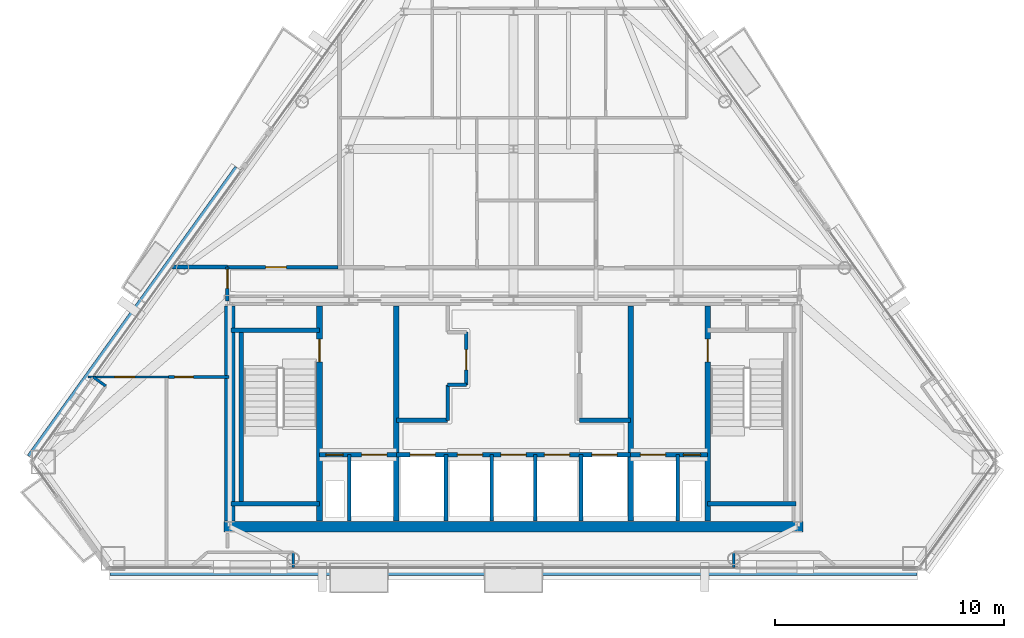
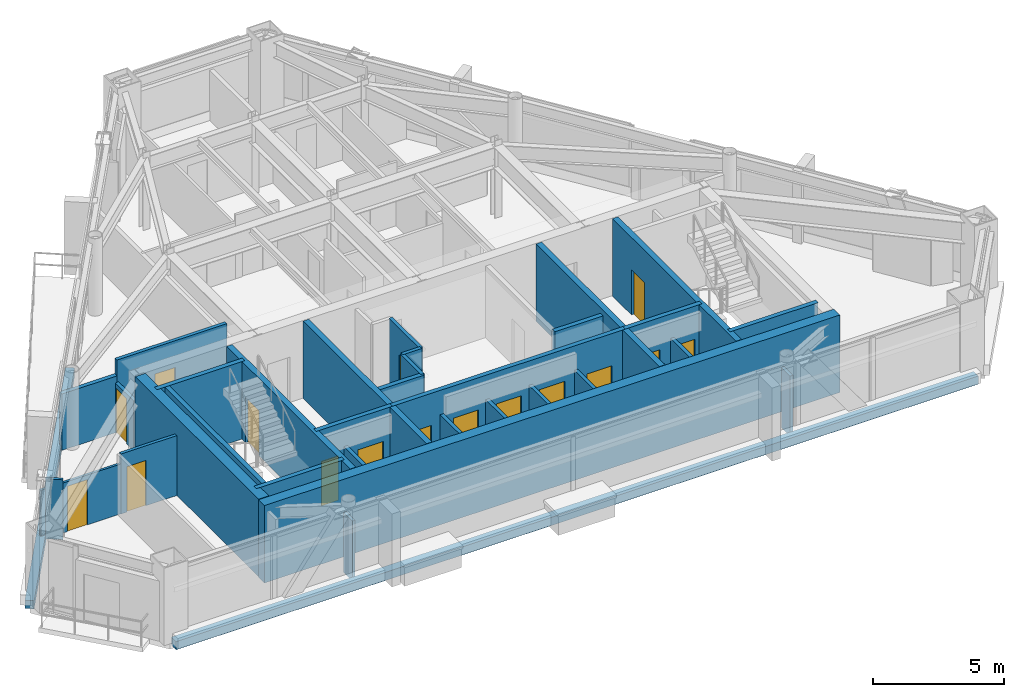
# One storey, part 7 of 11: 34 walls, 16 doors, 16 openings.
"""IFC4 building model written with IfcOpenShell, lengths in metres."""

from ifc_helpers import new_model, si_unit, direction, frame, frame_2d, origin, place, context, subcontext, project, spatial, rectangle, extrude, material, layer, layer_set, type_object, element, fill, save


model = new_model("IFC4")

# Units and contexts
model_context = context("Model", 3, precision=1e-05, world=origin(), true_north=direction((0.0, 1.0)))
body_context = subcontext(model_context, "Body", "Model", "MODEL_VIEW")
ifc_project = project(units=[si_unit("LENGTHUNIT", "METRE"), si_unit("AREAUNIT", "SQUARE_METRE"), si_unit("VOLUMEUNIT", "CUBIC_METRE"), si_unit("PLANEANGLEUNIT", "RADIAN"), si_unit("MASSUNIT", "GRAM", prefix="KILO")], contexts=[model_context])

# Site, building, storey
site_placement = place(None, origin())
site = spatial("IfcSite", under=ifc_project, at=site_placement, CompositionType="ELEMENT")
building_placement = place(site_placement, origin())
building = spatial("IfcBuilding", under=site, at=building_placement, Name="Talgorran Terracotta Tower", CompositionType="ELEMENT")
storey_placement = place(building_placement, frame((0.0, 0.0, 210.89990234375)))
storey = spatial("IfcBuildingStorey", under=building, at=storey_placement, Name="L55", CompositionType="ELEMENT", Elevation=210.89990234375)

# Walls
ifc_material_1 = material(Name="Concrete C50/60", Category="concrete")
ifc_layer_1 = layer(ifc_material_1, 0.199951171875, Name="WT_CORE_200")
ifc_layer_set_1 = layer_set([ifc_layer_1], Name="Concrete C50/60")
wall_type_1 = type_object("IfcWallType", Name="WT_CORE_200", PredefinedType="SOLIDWALL", material=ifc_layer_set_1)
for number, where, z_axis, x_axis, name in (
    (1, (-12.35009765625, -5.52001953125, 0.0), (0.0, 0.0, 1.0), (1.0, 0.0, 0.0), "WL-L55-CW-ST1-N"),
    (2, (-12.35009765625, -13.10009765625, 0.0), (0.0, 0.0, 1.0), (1.0, 0.0, 0.0), "WL-L55-CW-ST1-S"),
):
    element("IfcWall", number, at=place(storey_placement, frame(where, z_axis=z_axis, x_axis=x_axis)), inside=storey, type_object=wall_type_1, Name=name, PredefinedType="SOLIDWALL", context=body_context, shape_type="SweptSolid", body=[
        extrude(rectangle(XDim=3.8701171875, YDim=0.199951171875, at=frame_2d((1.93505859375, 0.0))), origin(), (0.0, 0.0, 1.0), 3.60009765625),
    ])
wall_1_placement = place(storey_placement, frame((-11.89990234375, -13.10009765625, 0.0), z_axis=(0.0, 0.0, 1.0), x_axis=(0.0, 1.0, 0.0)))
element("IfcWall", 3, at=wall_1_placement, inside=storey, type_object=wall_type_1, Name="WL-L55-CW-ST1-W", PredefinedType="SOLIDWALL", context=body_context, shape_type="SweptSolid", body=[
    extrude(rectangle(XDim=7.580078125, YDim=0.199951171875, at=frame_2d((3.7900390625, 0.0))), origin(), (0.0, 0.0, 1.0), 3.60009765625),
])
wall_2_placement = place(storey_placement, frame((8.47998046875, -13.10009765625, 0.0), z_axis=(0.0, 0.0, 1.0), x_axis=(1.0, 0.0, 0.0)))
element("IfcWall", 4, at=wall_2_placement, inside=storey, type_object=wall_type_1, Name="WL-L55-CW-ST2-S", PredefinedType="SOLIDWALL", context=body_context, shape_type="SweptSolid", body=[
    extrude(rectangle(XDim=3.8701171875, YDim=0.199951171875, at=frame_2d((1.93505859375, 0.0))), origin(), (0.0, 0.0, 1.0), 3.60009765625),
])

# Wall, openings, doors
wall_3_placement = place(storey_placement, frame((-8.47998046875, -10.949951171875, 0.0), z_axis=(0.0, 0.0, 1.0), x_axis=(1.0, 0.0, 0.0)))
wall_3 = element("IfcWall", 5, at=wall_3_placement, inside=storey, type_object=wall_type_1, Name="WL-L55-CW-H-SBW", PredefinedType="SOLIDWALL", context=body_context, shape_type="SweptSolid", body=[
    extrude(rectangle(XDim=3.35986328125, YDim=0.199951171875, at=frame_2d((1.679931640625, 0.0))), origin(), (0.0, 0.0, 1.0), 3.60009765625),
])
opening_1_placement = place(wall_3_placement, frame((0.280029296875, 0.0, 0.0)))
opening_1 = element("IfcOpeningElement", 6, at=opening_1_placement, cuts=wall_3, Name="Opening DR-RSW", PredefinedType="OPENING", context=body_context, shape_type="SweptSolid", body=[
    extrude(rectangle(XDim=0.756, YDim=2.054048828125, at=frame_2d((0.375, 1.027099609375))), frame((0.0, 0.10986328125, 0.0), z_axis=(0.0, -1.0, 0.0), x_axis=(1.0, 0.0, 0.0)), (0.0, 0.0, 1.0), 0.219970703125),
])
opening_2_placement = place(wall_3_placement, frame((1.85009765625, 0.0, 0.0)))
opening_2 = element("IfcOpeningElement", 7, at=opening_2_placement, cuts=wall_3, Name="Opening LD-FFL1", PredefinedType="OPENING", context=body_context, shape_type="SweptSolid", body=[
    extrude(rectangle(XDim=1.10609765625, YDim=2.10409765625, at=frame_2d((0.550048828125, 1.052001953125))), frame((0.0, 0.10986328125, 0.0), z_axis=(0.0, -1.0, 0.0), x_axis=(1.0, 0.0, 0.0)), (0.0, 0.0, 1.0), 0.219970703125),
])
ifc_material_2 = material(Name="Brushed Stainless Steel Grade 304", Category="steel")
door_type_1 = type_object("IfcDoorType", Name="DT_LIFT_LD1100", OperationType="DOUBLE_DOOR_SLIDING", PredefinedType="DOOR", material=ifc_material_2)
door_1_placement = place(opening_2_placement, origin())
door_1 = element("IfcDoor", 8, at=door_1_placement, inside=storey, type_object=door_type_1, Name="L55 Lift Landing Door LD-FFL1", OperationType="DOUBLE_DOOR_SLIDING", OverallHeight=2.10009765625, OverallWidth=1.10009765625, PredefinedType="DOOR", context=body_context, shape_type="SweptSolid", body=[
    extrude(rectangle(XDim=1.10009765625, YDim=2.10009765625, at=frame_2d((0.550048828125, 1.050048828125))), frame((0.0, 0.02490234375, 0.0), z_axis=(0.0, -1.0, 0.0), x_axis=(1.0, 0.0, 0.0)), (0.0, 0.0, 1.0), 0.050048828125),
])
fill(opening_2, door_1)
ifc_material_3 = material(Name="Fire-Rated Pressed Steel", Category="steel")
door_type_2 = type_object("IfcDoorType", Name="DT_RISER_750", OperationType="NOTDEFINED", PredefinedType="DOOR", material=ifc_material_3)
door_2_placement = place(opening_1_placement, origin())
door_2 = element("IfcDoor", 9, at=door_2_placement, inside=storey, type_object=door_type_2, Name="DR-RSW", OperationType="SINGLE_SWING_LEFT", OverallHeight=2.050048828125, OverallWidth=0.75, PredefinedType="DOOR", context=body_context, shape_type="SweptSolid", body=[
    extrude(rectangle(XDim=0.75, YDim=2.050048828125, at=frame_2d((0.375, 1.02490234375))), frame((0.0, 0.02490234375, 0.0), z_axis=(0.0, -1.0, 0.0), x_axis=(1.0, 0.0, 0.0)), (0.0, 0.0, 1.0), 0.050048828125),
])
fill(opening_1, door_2)

wall_4_placement = place(storey_placement, frame((-5.1201171875, -10.949951171875, 0.0), z_axis=(0.0, 0.0, 1.0), x_axis=(1.0, 0.0, 0.0)))
wall_4 = element("IfcWall", 10, at=wall_4_placement, inside=storey, type_object=wall_type_1, Name="WL-L55-CW-H-SBC", PredefinedType="SOLIDWALL", context=body_context, shape_type="SweptSolid", body=[
    extrude(rectangle(XDim=10.240234375, YDim=0.199951171875, at=frame_2d((5.1201171875, 0.0))), origin(), (0.0, 0.0, 1.0), 3.60009765625),
])
opening_3_placement = place(wall_4_placement, frame((0.60009765625, 0.0, 0.0)))
opening_3 = element("IfcOpeningElement", 11, at=opening_3_placement, cuts=wall_4, Name="Opening LD-OB1", PredefinedType="OPENING", context=body_context, shape_type="SweptSolid", body=[
    extrude(rectangle(XDim=1.10609765625, YDim=2.10409765625, at=frame_2d((0.550048828125, 1.052001953125))), frame((0.0, 0.10986328125, 0.0), z_axis=(0.0, -1.0, 0.0), x_axis=(1.0, 0.0, 0.0)), (0.0, 0.0, 1.0), 0.219970703125),
])
opening_4_placement = place(wall_4_placement, frame((2.669921875, 0.0, 0.0)))
opening_4 = element("IfcOpeningElement", 12, at=opening_4_placement, cuts=wall_4, Name="Opening LD-PLH1", PredefinedType="OPENING", context=body_context, shape_type="SweptSolid", body=[
    extrude(rectangle(XDim=1.10609765625, YDim=2.10409765625, at=frame_2d((0.550048828125, 1.052001953125))), frame((0.0, 0.10986328125, 0.0), z_axis=(0.0, -1.0, 0.0), x_axis=(1.0, 0.0, 0.0)), (0.0, 0.0, 1.0), 0.219970703125),
])
opening_5_placement = place(wall_4_placement, frame((4.570068359375, 0.0, 0.0)))
opening_5 = element("IfcOpeningElement", 13, at=opening_5_placement, cuts=wall_4, Name="Opening LD-PLH2", PredefinedType="OPENING", context=body_context, shape_type="SweptSolid", body=[
    extrude(rectangle(XDim=1.10609765625, YDim=2.10409765625, at=frame_2d((0.550048828125, 1.052001953125))), frame((0.0, 0.10986328125, 0.0), z_axis=(0.0, -1.0, 0.0), x_axis=(1.0, 0.0, 0.0)), (0.0, 0.0, 1.0), 0.219970703125),
])
opening_6_placement = place(wall_4_placement, frame((6.469970703125, 0.0, 0.0)))
opening_6 = element("IfcOpeningElement", 14, at=opening_6_placement, cuts=wall_4, Name="Opening LD-PLH3", PredefinedType="OPENING", context=body_context, shape_type="SweptSolid", body=[
    extrude(rectangle(XDim=1.10609765625, YDim=2.10409765625, at=frame_2d((0.550048828125, 1.052001953125))), frame((0.0, 0.10986328125, 0.0), z_axis=(0.0, -1.0, 0.0), x_axis=(1.0, 0.0, 0.0)), (0.0, 0.0, 1.0), 0.219970703125),
])
opening_7_placement = place(wall_4_placement, frame((8.5400390625, 0.0, 0.0)))
opening_7 = element("IfcOpeningElement", 15, at=opening_7_placement, cuts=wall_4, Name="Opening LD-SVL1", PredefinedType="OPENING", context=body_context, shape_type="SweptSolid", body=[
    extrude(rectangle(XDim=1.10609765625, YDim=2.10409765625, at=frame_2d((0.550048828125, 1.052001953125))), frame((0.0, 0.10986328125, 0.0), z_axis=(0.0, -1.0, 0.0), x_axis=(1.0, 0.0, 0.0)), (0.0, 0.0, 1.0), 0.219970703125),
])
door_3_placement = place(opening_3_placement, origin())
door_3 = element("IfcDoor", 16, at=door_3_placement, inside=storey, type_object=door_type_1, Name="L55 Lift Landing Door LD-OB1", OperationType="DOUBLE_DOOR_SLIDING", OverallHeight=2.10009765625, OverallWidth=1.10009765625, PredefinedType="DOOR", context=body_context, shape_type="SweptSolid", body=[
    extrude(rectangle(XDim=1.10009765625, YDim=2.10009765625, at=frame_2d((0.550048828125, 1.050048828125))), frame((0.0, 0.02490234375, 0.0), z_axis=(0.0, -1.0, 0.0), x_axis=(1.0, 0.0, 0.0)), (0.0, 0.0, 1.0), 0.050048828125),
])
fill(opening_3, door_3)
door_4_placement = place(opening_4_placement, origin())
door_4 = element("IfcDoor", 17, at=door_4_placement, inside=storey, type_object=door_type_1, Name="L55 Lift Landing Door LD-PLH1", OperationType="DOUBLE_DOOR_SLIDING", OverallHeight=2.10009765625, OverallWidth=1.10009765625, PredefinedType="DOOR", context=body_context, shape_type="SweptSolid", body=[
    extrude(rectangle(XDim=1.10009765625, YDim=2.10009765625, at=frame_2d((0.550048828125, 1.050048828125))), frame((0.0, 0.02490234375, 0.0), z_axis=(0.0, -1.0, 0.0), x_axis=(1.0, 0.0, 0.0)), (0.0, 0.0, 1.0), 0.050048828125),
])
fill(opening_4, door_4)
door_5_placement = place(opening_5_placement, origin())
door_5 = element("IfcDoor", 18, at=door_5_placement, inside=storey, type_object=door_type_1, Name="L55 Lift Landing Door LD-PLH2", OperationType="DOUBLE_DOOR_SLIDING", OverallHeight=2.10009765625, OverallWidth=1.10009765625, PredefinedType="DOOR", context=body_context, shape_type="SweptSolid", body=[
    extrude(rectangle(XDim=1.10009765625, YDim=2.10009765625, at=frame_2d((0.550048828125, 1.050048828125))), frame((0.0, 0.02490234375, 0.0), z_axis=(0.0, -1.0, 0.0), x_axis=(1.0, 0.0, 0.0)), (0.0, 0.0, 1.0), 0.050048828125),
])
fill(opening_5, door_5)
door_6_placement = place(opening_6_placement, origin())
door_6 = element("IfcDoor", 19, at=door_6_placement, inside=storey, type_object=door_type_1, Name="L55 Lift Landing Door LD-PLH3", OperationType="DOUBLE_DOOR_SLIDING", OverallHeight=2.10009765625, OverallWidth=1.10009765625, PredefinedType="DOOR", context=body_context, shape_type="SweptSolid", body=[
    extrude(rectangle(XDim=1.10009765625, YDim=2.10009765625, at=frame_2d((0.550048828125, 1.050048828125))), frame((0.0, 0.02490234375, 0.0), z_axis=(0.0, -1.0, 0.0), x_axis=(1.0, 0.0, 0.0)), (0.0, 0.0, 1.0), 0.050048828125),
])
fill(opening_6, door_6)
door_7_placement = place(opening_7_placement, origin())
door_7 = element("IfcDoor", 20, at=door_7_placement, inside=storey, type_object=door_type_1, Name="L55 Lift Landing Door LD-SVL1", OperationType="DOUBLE_DOOR_SLIDING", OverallHeight=2.10009765625, OverallWidth=1.10009765625, PredefinedType="DOOR", context=body_context, shape_type="SweptSolid", body=[
    extrude(rectangle(XDim=1.10009765625, YDim=2.10009765625, at=frame_2d((0.550048828125, 1.050048828125))), frame((0.0, 0.02490234375, 0.0), z_axis=(0.0, -1.0, 0.0), x_axis=(1.0, 0.0, 0.0)), (0.0, 0.0, 1.0), 0.050048828125),
])
fill(opening_7, door_7)

wall_5_placement = place(storey_placement, frame((5.1201171875, -10.949951171875, 0.0), z_axis=(0.0, 0.0, 1.0), x_axis=(1.0, 0.0, 0.0)))
wall_5 = element("IfcWall", 21, at=wall_5_placement, inside=storey, type_object=wall_type_1, Name="WL-L55-CW-H-SBE", PredefinedType="SOLIDWALL", context=body_context, shape_type="SweptSolid", body=[
    extrude(rectangle(XDim=3.35986328125, YDim=0.199951171875, at=frame_2d((1.679931640625, 0.0))), origin(), (0.0, 0.0, 1.0), 3.60009765625),
])
opening_8_placement = place(wall_5_placement, frame((0.419921875, 0.0, 0.0)))
opening_8 = element("IfcOpeningElement", 22, at=opening_8_placement, cuts=wall_5, Name="Opening LD-FFL2", PredefinedType="OPENING", context=body_context, shape_type="SweptSolid", body=[
    extrude(rectangle(XDim=1.10609765625, YDim=2.10409765625, at=frame_2d((0.550048828125, 1.052001953125))), frame((0.0, 0.10986328125, 0.0), z_axis=(0.0, -1.0, 0.0), x_axis=(1.0, 0.0, 0.0)), (0.0, 0.0, 1.0), 0.219970703125),
])
opening_9_placement = place(wall_5_placement, frame((2.300048828125, 0.0, 0.0)))
opening_9 = element("IfcOpeningElement", 23, at=opening_9_placement, cuts=wall_5, Name="Opening DR-RSE", PredefinedType="OPENING", context=body_context, shape_type="SweptSolid", body=[
    extrude(rectangle(XDim=0.756, YDim=2.054048828125, at=frame_2d((0.375, 1.027099609375))), frame((0.0, 0.10986328125, 0.0), z_axis=(0.0, -1.0, 0.0), x_axis=(1.0, 0.0, 0.0)), (0.0, 0.0, 1.0), 0.219970703125),
])
door_8_placement = place(opening_8_placement, origin())
door_8 = element("IfcDoor", 24, at=door_8_placement, inside=storey, type_object=door_type_1, Name="L55 Lift Landing Door LD-FFL2", OperationType="DOUBLE_DOOR_SLIDING", OverallHeight=2.10009765625, OverallWidth=1.10009765625, PredefinedType="DOOR", context=body_context, shape_type="SweptSolid", body=[
    extrude(rectangle(XDim=1.10009765625, YDim=2.10009765625, at=frame_2d((0.550048828125, 1.050048828125))), frame((0.0, 0.02490234375, 0.0), z_axis=(0.0, -1.0, 0.0), x_axis=(1.0, 0.0, 0.0)), (0.0, 0.0, 1.0), 0.050048828125),
])
fill(opening_8, door_8)
door_9_placement = place(opening_9_placement, origin())
door_9 = element("IfcDoor", 25, at=door_9_placement, inside=storey, type_object=door_type_2, Name="DR-RSE", OperationType="SINGLE_SWING_RIGHT", OverallHeight=2.050048828125, OverallWidth=0.75, PredefinedType="DOOR", context=body_context, shape_type="SweptSolid", body=[
    extrude(rectangle(XDim=0.75, YDim=2.050048828125, at=frame_2d((0.375, 1.02490234375))), frame((0.0, 0.02490234375, 0.0), z_axis=(0.0, -1.0, 0.0), x_axis=(1.0, 0.0, 0.0)), (0.0, 0.0, 1.0), 0.050048828125),
])
fill(opening_9, door_9)

# Walls
for number, where, z_axis, x_axis, name in (
    (26, (-5.1201171875, -9.449951171875, 0.0), (0.0, 0.0, 1.0), (1.0, 0.0, 0.0), "WL-L55-CW-H-W4"),
    (27, (2.8798828125, -9.449951171875, 0.0), (0.0, 0.0, 1.0), (1.0, 0.0, 0.0), "WL-L55-CW-H-E4"),
):
    element("IfcWall", number, at=place(storey_placement, frame(where, z_axis=z_axis, x_axis=x_axis)), inside=storey, type_object=wall_type_1, Name=name, PredefinedType="SOLIDWALL", context=body_context, shape_type="SweptSolid", body=[
        extrude(rectangle(XDim=2.240234375, YDim=0.199951171875, at=frame_2d((1.1201171875, 0.0))), origin(), (0.0, 0.0, 1.0), 3.34521484375),
    ])

# Wall, opening, door
ifc_layer_2 = layer(ifc_material_1, 0.25, Name="WT_CORE_250")
ifc_layer_set_2 = layer_set([ifc_layer_2], Name="Concrete C50/60")
wall_type_2 = type_object("IfcWallType", Name="WT_CORE_250", PredefinedType="SHEAR", material=ifc_layer_set_2)
wall_6_placement = place(storey_placement, frame((-8.47998046875, -13.85009765625, 0.0), z_axis=(0.0, 0.0, 1.0), x_axis=(0.0, 1.0, 0.0)))
wall_6 = element("IfcWall", 28, at=wall_6_placement, inside=storey, type_object=wall_type_2, Name="WL-L55-CW-V-W1", PredefinedType="SHEAR", context=body_context, shape_type="SweptSolid", body=[
    extrude(rectangle(XDim=9.400146484375, YDim=0.25, at=frame_2d((4.7001953125, 0.0))), origin(), (0.0, 0.0, 1.0), 3.60009765625),
])
opening_10_placement = place(wall_6_placement, frame((6.949951171875, 0.0, 0.0)))
opening_10 = element("IfcOpeningElement", 29, at=opening_10_placement, cuts=wall_6, Name="Opening DR-ST01", PredefinedType="OPENING", context=body_context, shape_type="SweptSolid", body=[
    extrude(rectangle(XDim=1.006, YDim=2.10409765625, at=frame_2d((0.5, 1.052001953125))), frame((0.0, 0.135009765625, 0.0), z_axis=(0.0, -1.0, 0.0), x_axis=(1.0, 0.0, 0.0)), (0.0, 0.0, 1.0), 0.27001953125),
])
door_type_3 = type_object("IfcDoorType", Name="DT_FIRE_1000", OperationType="NOTDEFINED", PredefinedType="DOOR", material=ifc_material_3)
door_10_placement = place(opening_10_placement, origin())
door_10 = element("IfcDoor", 30, at=door_10_placement, inside=storey, type_object=door_type_3, Name="DR-ST01", OperationType="SINGLE_SWING_LEFT", OverallHeight=2.10009765625, OverallWidth=1.0, PredefinedType="DOOR", context=body_context, shape_type="SweptSolid", body=[
    extrude(rectangle(XDim=1.0, YDim=2.10009765625, at=frame_2d((0.5, 1.050048828125))), frame((0.0, 0.02490234375, 0.0), z_axis=(0.0, -1.0, 0.0), x_axis=(1.0, 0.0, 0.0)), (0.0, 0.0, 1.0), 0.050048828125),
])
fill(opening_10, door_10)

wall_7_placement = place(storey_placement, frame((8.47998046875, -13.85009765625, 0.0), z_axis=(0.0, 0.0, 1.0), x_axis=(0.0, 1.0, 0.0)))
wall_7 = element("IfcWall", 31, at=wall_7_placement, inside=storey, type_object=wall_type_2, Name="WL-L55-CW-V-E1", PredefinedType="SHEAR", context=body_context, shape_type="SweptSolid", body=[
    extrude(rectangle(XDim=9.400146484375, YDim=0.25, at=frame_2d((4.7001953125, 0.0))), origin(), (0.0, 0.0, 1.0), 3.60009765625),
])
opening_11_placement = place(wall_7_placement, frame((6.949951171875, 0.0, 0.0)))
opening_11 = element("IfcOpeningElement", 32, at=opening_11_placement, cuts=wall_7, Name="Opening DR-ST02", PredefinedType="OPENING", context=body_context, shape_type="SweptSolid", body=[
    extrude(rectangle(XDim=1.006, YDim=2.10409765625, at=frame_2d((0.5, 1.052001953125))), frame((0.0, 0.135009765625, 0.0), z_axis=(0.0, -1.0, 0.0), x_axis=(1.0, 0.0, 0.0)), (0.0, 0.0, 1.0), 0.27001953125),
])
door_11_placement = place(opening_11_placement, origin())
door_11 = element("IfcDoor", 33, at=door_11_placement, inside=storey, type_object=door_type_3, Name="DR-ST02", OperationType="SINGLE_SWING_RIGHT", OverallHeight=2.10009765625, OverallWidth=1.0, PredefinedType="DOOR", context=body_context, shape_type="SweptSolid", body=[
    extrude(rectangle(XDim=1.0, YDim=2.10009765625, at=frame_2d((0.5, 1.050048828125))), frame((0.0, 0.02490234375, 0.0), z_axis=(0.0, -1.0, 0.0), x_axis=(1.0, 0.0, 0.0)), (0.0, 0.0, 1.0), 0.050048828125),
])
fill(opening_11, door_11)

# Walls
for number, where, z_axis, x_axis, name in (
    (34, (-5.1201171875, -13.85009765625, 0.0), (0.0, 0.0, 1.0), (0.0, 1.0, 0.0), "WL-L55-CW-V-W2"),
    (35, (5.1201171875, -13.85009765625, 0.0), (0.0, 0.0, 1.0), (0.0, 1.0, 0.0), "WL-L55-CW-V-E2"),
):
    element("IfcWall", number, at=place(storey_placement, frame(where, z_axis=z_axis, x_axis=x_axis)), inside=storey, type_object=wall_type_2, Name=name, PredefinedType="SHEAR", context=body_context, shape_type="SweptSolid", body=[
        extrude(rectangle(XDim=9.400146484375, YDim=0.25, at=frame_2d((4.7001953125, 0.0))), origin(), (0.0, 0.0, 1.0), 3.60009765625),
    ])
ifc_material_4 = material(Name="Concrete C65/80", Category="concrete")
ifc_layer_3 = layer(ifc_material_4, 0.449951171875, Name="WT_CORE_EXT")
ifc_layer_set_3 = layer_set([ifc_layer_3], Name="Concrete C65/80")
wall_type_3 = type_object("IfcWallType", Name="WT_CORE_EXT", PredefinedType="SHEAR", material=ifc_layer_set_3)
wall_8_placement = place(storey_placement, frame((-12.64990234375, -14.10009765625, 0.0), z_axis=(0.0, 0.0, 1.0), x_axis=(1.0, 0.0, 0.0)))
element("IfcWall", 36, at=wall_8_placement, inside=storey, type_object=wall_type_3, Name="WL-L55-CW-OUT-S", PredefinedType="SHEAR", context=body_context, shape_type="SweptSolid", body=[
    extrude(rectangle(XDim=25.2998046875, YDim=0.449951171875, at=frame_2d((12.64990234375, 0.0))), origin(), (0.0, 0.0, 1.0), 3.60009765625),
])
wall_9_placement = place(storey_placement, frame((-12.39990234375, -13.85009765625, 0.0), z_axis=(0.0, 0.0, 1.0), x_axis=(0.0, 1.0, 0.0)))
element("IfcWall", 37, at=wall_9_placement, inside=storey, type_object=wall_type_3, Name="WL-L55-CW-OUT-W", PredefinedType="SHEAR", context=body_context, shape_type="SweptSolid", body=[
    extrude(rectangle(XDim=9.400146484375, YDim=0.449951171875, at=frame_2d((4.7001953125, 0.0))), origin(), (0.0, 0.0, 1.0), 3.60009765625),
])
ifc_material_5 = material(Name="Fire-Rated Steel Stud Plasterboard", Category="steel")
ifc_layer_4 = layer(ifc_material_5, 0.14990234375, Name="WT_FIRE_150")
ifc_layer_set_4 = layer_set([ifc_layer_4], Name="Fire-Rated Steel Stud Plasterboard")
wall_type_4 = type_object("IfcWallType", Name="WT_FIRE_150", PredefinedType="PARTITIONING", material=ifc_layer_set_4)
wall_10_placement = place(storey_placement, frame((-2.8798828125, -9.449951171875, 0.0), z_axis=(0.0, 0.0, 1.0), x_axis=(0.0, 1.0, 0.0)))
element("IfcWall", 38, at=wall_10_placement, inside=storey, type_object=wall_type_4, Name="WL-L55-CW-V-W3A", PredefinedType="PARTITIONING", context=body_context, shape_type="SweptSolid", body=[
    extrude(rectangle(XDim=1.550048828125, YDim=0.14990234375, at=frame_2d((0.77490234375, 0.0))), origin(), (0.0, 0.0, 1.0), 3.34521484375),
])
wall_11_placement = place(storey_placement, frame((-2.8798828125, -7.89990234375, 0.0), z_axis=(0.0, 0.0, 1.0), x_axis=(1.0, 0.0, 0.0)))
element("IfcWall", 39, at=wall_11_placement, inside=storey, type_object=wall_type_4, Name="WL-L55-CW-H-W3B", PredefinedType="PARTITIONING", context=body_context, shape_type="SweptSolid", body=[
    extrude(rectangle(XDim=0.81982421875, YDim=0.14990234375, at=frame_2d((0.409912109375, 0.0))), origin(), (0.0, 0.0, 1.0), 3.34521484375),
])

# Wall, opening, door
wall_12_placement = place(storey_placement, frame((-2.06005859375, -7.89990234375, 0.0), z_axis=(0.0, 0.0, 1.0), x_axis=(0.0, 1.0, 0.0)))
wall_12 = element("IfcWall", 40, at=wall_12_placement, inside=storey, type_object=wall_type_4, Name="WL-L55-CW-V-W3C", PredefinedType="PARTITIONING", context=body_context, shape_type="SweptSolid", body=[
    extrude(rectangle(XDim=2.2998046875, YDim=0.14990234375, at=frame_2d((1.14990234375, 0.0))), origin(), (0.0, 0.0, 1.0), 3.34521484375),
])
opening_12_placement = place(wall_12_placement, frame((0.64990234375, 0.0, 0.0)))
opening_12 = element("IfcOpeningElement", 41, at=opening_12_placement, cuts=wall_12, Name="Opening DR-FRPLL-B", PredefinedType="OPENING", context=body_context, shape_type="SweptSolid", body=[
    extrude(rectangle(XDim=0.8858828125, YDim=2.10409765625, at=frame_2d((0.43994140625, 1.052001953125))), frame((0.0, 0.0849609375, 0.0), z_axis=(0.0, -1.0, 0.0), x_axis=(1.0, 0.0, 0.0)), (0.0, 0.0, 1.0), 0.169921875),
])
ifc_material_6 = material(Name="Solid-Core Painted Timber", Category="wood")
door_type_4 = type_object("IfcDoorType", Name="DT_INT_880", OperationType="NOTDEFINED", PredefinedType="DOOR", material=ifc_material_6)
door_12_placement = place(opening_12_placement, origin())
door_12 = element("IfcDoor", 42, at=door_12_placement, inside=storey, type_object=door_type_4, Name="DR-FRPLL-B", OperationType="SINGLE_SWING_LEFT", OverallHeight=2.10009765625, OverallWidth=0.8798828125, PredefinedType="DOOR", context=body_context, shape_type="SweptSolid", body=[
    extrude(rectangle(XDim=0.8798828125, YDim=2.10009765625, at=frame_2d((0.43994140625, 1.050048828125))), frame((0.0, 0.02490234375, 0.0), z_axis=(0.0, -1.0, 0.0), x_axis=(1.0, 0.0, 0.0)), (0.0, 0.0, 1.0), 0.050048828125),
])
fill(opening_12, door_12)

wall_13_placement = place(storey_placement, frame((-12.5, -2.760009765625, 0.0), z_axis=(0.0, 0.0, 1.0), x_axis=(1.0, 0.0, 0.0)))
wall_13 = element("IfcWall", 43, at=wall_13_placement, inside=storey, type_object=wall_type_4, Name="WL-L55-W-L55-R03", PredefinedType="PARTITIONING", context=body_context, shape_type="SweptSolid", body=[
    extrude(rectangle(XDim=4.837890625, YDim=0.14990234375, at=frame_2d((2.4189453125, 0.0))), origin(), (0.0, 0.0, 1.0), 3.34521484375),
])
opening_13_placement = place(wall_13_placement, frame((1.671875, 0.0, 0.0)))
opening_13 = element("IfcOpeningElement", 44, at=opening_13_placement, cuts=wall_13, Name="Opening DR-L55-R05", PredefinedType="OPENING", context=body_context, shape_type="SweptSolid", body=[
    extrude(rectangle(XDim=0.90590234375, YDim=2.10409765625, at=frame_2d((0.449951171875, 1.052001953125))), frame((0.0, 0.0849609375, 0.0), z_axis=(0.0, -1.0, 0.0), x_axis=(1.0, 0.0, 0.0)), (0.0, 0.0, 1.0), 0.169921875),
])
ifc_material_7 = material(Name="Fire-Rated Timber Core", Category="wood")
door_type_5 = type_object("IfcDoorType", Name="DT_FIRE_900", OperationType="NOTDEFINED", PredefinedType="DOOR", material=ifc_material_7)
door_13_placement = place(opening_13_placement, origin())
door_13 = element("IfcDoor", 45, at=door_13_placement, inside=storey, type_object=door_type_5, Name="DR-L55-R05", OperationType="SINGLE_SWING_LEFT", OverallHeight=2.10009765625, OverallWidth=0.89990234375, PredefinedType="DOOR", context=body_context, shape_type="SweptSolid", body=[
    extrude(rectangle(XDim=0.89990234375, YDim=2.10009765625, at=frame_2d((0.449951171875, 1.050048828125))), frame((0.0, 0.02490234375, 0.0), z_axis=(0.0, -1.0, 0.0), x_axis=(1.0, 0.0, 0.0)), (0.0, 0.0, 1.0), 0.050048828125),
])
fill(opening_13, door_13)

wall_14_placement = place(storey_placement, frame((-12.5, -4.239990234375, 0.0), z_axis=(0.0, 0.0, 1.0), x_axis=(0.0, 1.0, 0.0)))
wall_14 = element("IfcWall", 46, at=wall_14_placement, inside=storey, type_object=wall_type_4, Name="WL-L55-W-L55-R01", PredefinedType="PARTITIONING", context=body_context, shape_type="SweptSolid", body=[
    extrude(rectangle(XDim=1.47998046875, YDim=0.14990234375, at=frame_2d((0.739990234375, 0.0))), origin(), (0.0, 0.0, 1.0), 2.320068359375),
])
opening_14_placement = place(wall_14_placement, frame((0.56005859375, 0.0, 0.0)))
opening_14 = element("IfcOpeningElement", 47, at=opening_14_placement, cuts=wall_14, Name="Opening DR-L55-R01", PredefinedType="OPENING", context=body_context, shape_type="SweptSolid", body=[
    extrude(rectangle(XDim=0.826068359375, YDim=2.10409765625, at=frame_2d((0.41015625, 1.052001953125))), frame((0.0, 0.0849609375, 0.0), z_axis=(0.0, -1.0, 0.0), x_axis=(1.0, 0.0, 0.0)), (0.0, 0.0, 1.0), 0.169921875),
])
ifc_material_8 = material(Name="Moisture-Resistant Solid Timber", Category="wood")
door_type_6 = type_object("IfcDoorType", Name="DT_INT_820", OperationType="NOTDEFINED", PredefinedType="DOOR", material=ifc_material_8)
door_14_placement = place(opening_14_placement, origin())
door_14 = element("IfcDoor", 48, at=door_14_placement, inside=storey, type_object=door_type_6, Name="DR-L55-R01", OperationType="SINGLE_SWING_LEFT", OverallHeight=2.10009765625, OverallWidth=0.820068359375, PredefinedType="DOOR", context=body_context, shape_type="SweptSolid", body=[
    extrude(rectangle(XDim=0.820068359375, YDim=2.10009765625, at=frame_2d((0.41015625, 1.050048828125))), frame((0.0, 0.02490234375, 0.0), z_axis=(0.0, -1.0, 0.0), x_axis=(1.0, 0.0, 0.0)), (0.0, 0.0, 1.0), 0.050048828125),
])
fill(opening_14, door_14)

# Walls
ifc_material_9 = material(Name="Concrete C40/50", Category="concrete")
ifc_layer_5 = layer(ifc_material_9, 0.219970703125, Name="WT_PARAPET_RC")
ifc_layer_set_5 = layer_set([ifc_layer_5], Name="Concrete C40/50")
wall_type_5 = type_object("IfcWallType", Name="WT_PARAPET_RC", PredefinedType="PARAPET", material=ifc_layer_set_5)
wall_15_placement = place(storey_placement, frame((-17.635986328125, -16.056640625, -0.199951171875), z_axis=(0.0, 0.0, 1.0), x_axis=(1.0, 0.0, 0.0)))
element("IfcWall", 49, at=wall_15_placement, inside=storey, type_object=wall_type_5, Name="L55 Striped Portal Precast Cornice F1", PredefinedType="PARAPET", context=body_context, shape_type="SweptSolid", body=[
    extrude(rectangle(XDim=35.27197265625, YDim=0.360107421875, at=frame_2d((17.635986328125, 0.0))), origin(), (0.0, 0.0, 1.0), 0.380126953125),
])
wall_16_placement = place(storey_placement, frame((-12.0322265625, 1.541259765625, -0.199951171875), z_axis=(0.0, 0.0, 1.0), x_axis=(-0.583546701141, -0.812079582053, 0.0)))
element("IfcWall", 50, at=wall_16_placement, inside=storey, type_object=wall_type_5, Name="L55 Striped Portal Precast Cornice F61", PredefinedType="PARAPET", context=body_context, shape_type="SweptSolid", body=[
    extrude(rectangle(XDim=15.54052734375, YDim=0.360107421875, at=frame_2d((7.770263671875, 0.0))), origin(), (0.0, 0.0, 1.0), 0.380126953125),
])
ifc_material_10 = material(Name="Acoustic Stud and Plasterboard")
ifc_layer_6 = layer(ifc_material_10, 0.179931640625, Name="WT_PARTY_200")
ifc_layer_set_6 = layer_set([ifc_layer_6], Name="Acoustic Stud and Plasterboard")
wall_type_6 = type_object("IfcWallType", Name="WT_PARTY_200", PredefinedType="PARTITIONING", material=ifc_layer_set_6)
wall_17_placement = place(storey_placement, frame((-14.926025390625, -2.760009765625, 0.0), z_axis=(0.0, 0.0, 1.0), x_axis=(1.0, 0.0, 0.0)))
element("IfcWall", 51, at=wall_17_placement, inside=storey, type_object=wall_type_6, Name="WL-L55-W-L55-R10", PredefinedType="PARTITIONING", context=body_context, shape_type="SweptSolid", body=[
    extrude(rectangle(XDim=2.426025390625, YDim=0.179931640625, at=frame_2d((1.212890625, 0.0))), origin(), (0.0, 0.0, 1.0), 2.6201171875),
])

# Wall, opening, door
ifc_material_11 = material(Name="Lightweight Steel Stud Partition", Category="steel")
ifc_layer_7 = layer(ifc_material_11, 0.10498046875, Name="WT_PART_110")
ifc_layer_set_7 = layer_set([ifc_layer_7], Name="Lightweight Steel Stud Partition")
wall_type_7 = type_object("IfcWallType", Name="WT_PART_110", PredefinedType="PARTITIONING", material=ifc_layer_set_7)
wall_18_placement = place(storey_placement, frame((-18.60009765625, -7.56005859375, 0.0), z_axis=(0.0, 0.0, 1.0), x_axis=(1.0, 0.0, 0.0)))
wall_18 = element("IfcWall", 52, at=wall_18_placement, inside=storey, type_object=wall_type_7, Name="WL-L55-W-L55-R09", PredefinedType="PARTITIONING", context=body_context, shape_type="SweptSolid", body=[
    extrude(rectangle(XDim=3.52001953125, YDim=0.10498046875, at=frame_2d((1.760009765625, 0.0))), origin(), (0.0, 0.0, 1.0), 2.320068359375),
])
opening_15_placement = place(wall_18_placement, frame((1.17236328125, 0.0, 0.0)))
opening_15 = element("IfcOpeningElement", 53, at=opening_15_placement, cuts=wall_18, Name="Opening DR-L55-R03", PredefinedType="OPENING", context=body_context, shape_type="SweptSolid", body=[
    extrude(rectangle(XDim=0.8858828125, YDim=2.10409765625, at=frame_2d((0.43994140625, 1.052001953125))), frame((0.0, 0.0625, 0.0), z_axis=(0.0, -1.0, 0.0), x_axis=(1.0, 0.0, 0.0)), (0.0, 0.0, 1.0), 0.125),
])
door_15_placement = place(opening_15_placement, origin())
door_15 = element("IfcDoor", 54, at=door_15_placement, inside=storey, type_object=door_type_4, Name="DR-L55-R03", OperationType="SINGLE_SWING_LEFT", OverallHeight=2.10009765625, OverallWidth=0.8798828125, PredefinedType="DOOR", context=body_context, shape_type="SweptSolid", body=[
    extrude(rectangle(XDim=0.8798828125, YDim=2.10009765625, at=frame_2d((0.43994140625, 1.050048828125))), frame((0.0, 0.02490234375, 0.0), z_axis=(0.0, -1.0, 0.0), x_axis=(1.0, 0.0, 0.0)), (0.0, 0.0, 1.0), 0.050048828125),
])
fill(opening_15, door_15)

# Walls
ifc_material_12 = material(Name="Insulated Steel Stud Plasterboard", Category="steel")
ifc_layer_8 = layer(ifc_material_12, 0.1201171875, Name="WT_PART_120")
ifc_layer_set_8 = layer_set([ifc_layer_8], Name="Insulated Steel Stud Plasterboard")
wall_type_8 = type_object("IfcWallType", Name="WT_PART_120", PredefinedType="PARTITIONING", material=ifc_layer_set_8)
for number, where, z_axis, x_axis, name in (
    (55, (-18.364013671875, -7.5615234375, 0.0), (0.0, 0.0, 1.0), (0.811907418628, -0.583786213932, 0.0), "WL-L55-BW-L55-07"),
    (56, (-9.623291015625, -15.216796875, 0.0), (0.0, 0.0, 1.0), (0.0, -1.0, 0.0), "WL-L55-BW-L55-02"),
    (57, (9.623291015625, -15.88671875, 0.0), (0.0, 0.0, 1.0), (0.0, 1.0, 0.0), "WL-L55-BW-L55-05"),
):
    element("IfcWall", number, at=place(storey_placement, frame(where, z_axis=z_axis, x_axis=x_axis)), inside=storey, type_object=wall_type_8, Name=name, PredefinedType="PARTITIONING", context=body_context, shape_type="SweptSolid", body=[
        extrude(rectangle(XDim=0.669921875, YDim=0.1201171875, at=frame_2d((0.3349609375, 0.0))), origin(), (0.0, 0.0, 1.0), 2.787109375),
    ])

# Wall, opening, door
ifc_material_13 = material(Name="Moisture-Resistant Stud Wall")
ifc_layer_9 = layer(ifc_material_13, 0.135009765625, Name="WT_PART_135")
ifc_layer_set_9 = layer_set([ifc_layer_9], Name="Moisture-Resistant Stud Wall")
wall_type_9 = type_object("IfcWallType", Name="WT_PART_135", PredefinedType="PARTITIONING", material=ifc_layer_set_9)
wall_19_placement = place(storey_placement, frame((-15.077880859375, -7.56005859375, 0.0), z_axis=(0.0, 0.0, 1.0), x_axis=(1.0, 0.0, 0.0)))
wall_19 = element("IfcWall", 58, at=wall_19_placement, inside=storey, type_object=wall_type_9, Name="WL-L55-W-L55-R08", PredefinedType="PARTITIONING", context=body_context, shape_type="SweptSolid", body=[
    extrude(rectangle(XDim=2.637939453125, YDim=0.135009765625, at=frame_2d((1.31884765625, 0.0))), origin(), (0.0, 0.0, 1.0), 2.787109375),
])
opening_16_placement = place(wall_19_placement, frame((0.2705078125, 0.0, 0.0)))
opening_16 = element("IfcOpeningElement", 59, at=opening_16_placement, cuts=wall_19, Name="Opening DR-L55-R02", PredefinedType="OPENING", context=body_context, shape_type="SweptSolid", body=[
    extrude(rectangle(XDim=0.826068359375, YDim=2.10409765625, at=frame_2d((0.41015625, 1.052001953125))), frame((0.0, 0.07763671875, 0.0), z_axis=(0.0, -1.0, 0.0), x_axis=(1.0, 0.0, 0.0)), (0.0, 0.0, 1.0), 0.155029296875),
])
door_16_placement = place(opening_16_placement, origin())
door_16 = element("IfcDoor", 60, at=door_16_placement, inside=storey, type_object=door_type_6, Name="DR-L55-R02", OperationType="SINGLE_SWING_RIGHT", OverallHeight=2.10009765625, OverallWidth=0.820068359375, PredefinedType="DOOR", context=body_context, shape_type="SweptSolid", body=[
    extrude(rectangle(XDim=0.820068359375, YDim=2.10009765625, at=frame_2d((0.41015625, 1.050048828125))), frame((0.0, 0.02490234375, 0.0), z_axis=(0.0, -1.0, 0.0), x_axis=(1.0, 0.0, 0.0)), (0.0, 0.0, 1.0), 0.050048828125),
])
fill(opening_16, door_16)

# Walls
ifc_material_14 = material(Name="Fire-Rated Shaftwall")
ifc_layer_10 = layer(ifc_material_14, 0.159912109375, Name="WT_PART_150")
ifc_layer_set_10 = layer_set([ifc_layer_10], Name="Fire-Rated Shaftwall")
wall_type_10 = type_object("IfcWallType", Name="WT_PART_150", PredefinedType="PARTITIONING", material=ifc_layer_set_10)
for number, where, z_axis, x_axis, name in (
    (61, (-7.179931640625, -13.85009765625, 0.0), (0.0, 0.0, 1.0), (0.0, 1.0, 0.0), "WL-L55-CW-RSW"),
    (62, (7.179931640625, -13.85009765625, 0.0), (0.0, 0.0, 1.0), (0.0, 1.0, 0.0), "WL-L55-CW-RSE"),
    (63, (-2.949951171875, -13.85009765625, 0.0), (0.0, 0.0, 1.0), (0.0, 1.0, 0.0), "WL-L55-CW-OB-E"),
    (64, (2.949951171875, -13.85009765625, 0.0), (0.0, 0.0, 1.0), (0.0, 1.0, 0.0), "WL-L55-CW-SV-W"),
    (65, (-0.949951171875, -13.85009765625, 0.0), (0.0, 0.0, 1.0), (0.0, 1.0, 0.0), "WL-L55-CW-PLH-D1"),
    (66, (0.949951171875, -13.85009765625, 0.0), (0.0, 0.0, 1.0), (0.0, 1.0, 0.0), "WL-L55-CW-PLH-D2"),
):
    element("IfcWall", number, at=place(storey_placement, frame(where, z_axis=z_axis, x_axis=x_axis)), inside=storey, type_object=wall_type_10, Name=name, PredefinedType="PARTITIONING", context=body_context, shape_type="SweptSolid", body=[
        extrude(rectangle(XDim=2.900146484375, YDim=0.159912109375, at=frame_2d((1.4501953125, 0.0))), origin(), (0.0, 0.0, 1.0), 2.47021484375),
    ])

save(model, "model.ifc")
